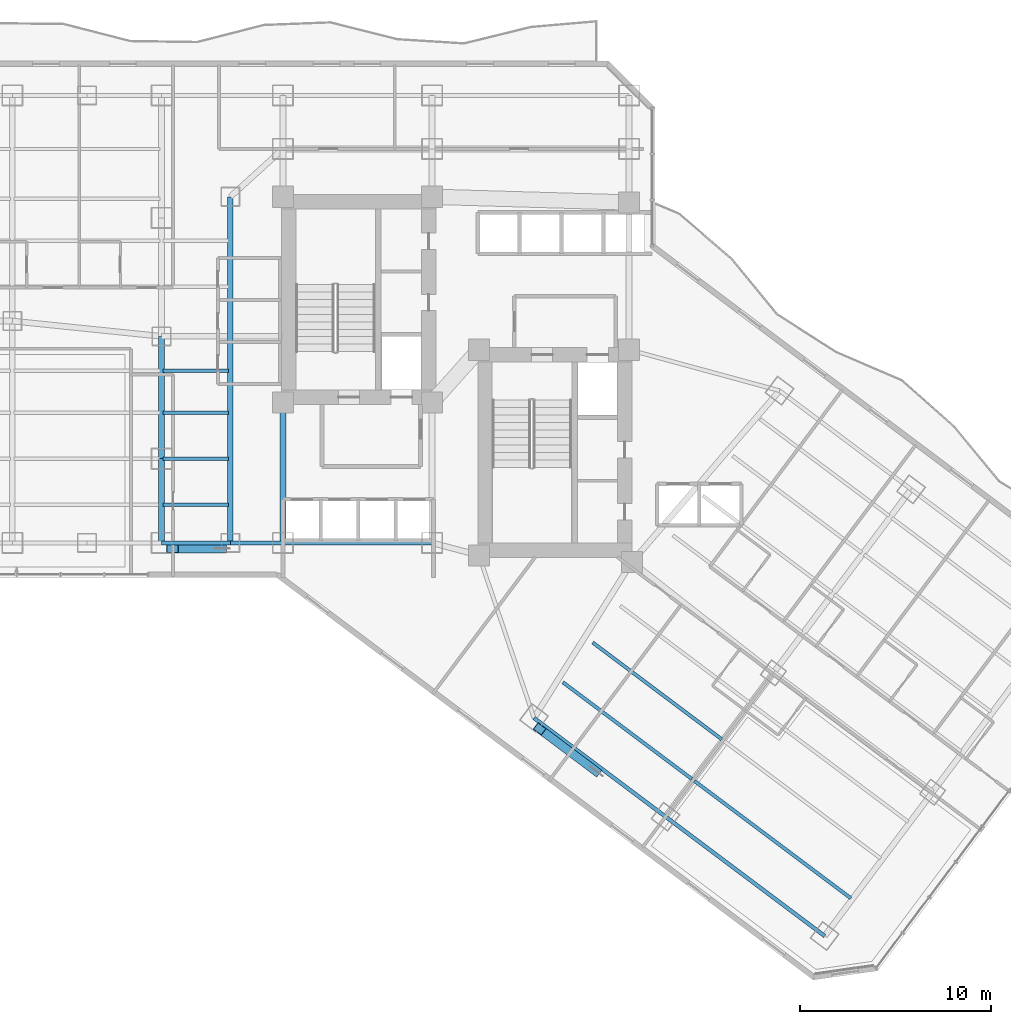
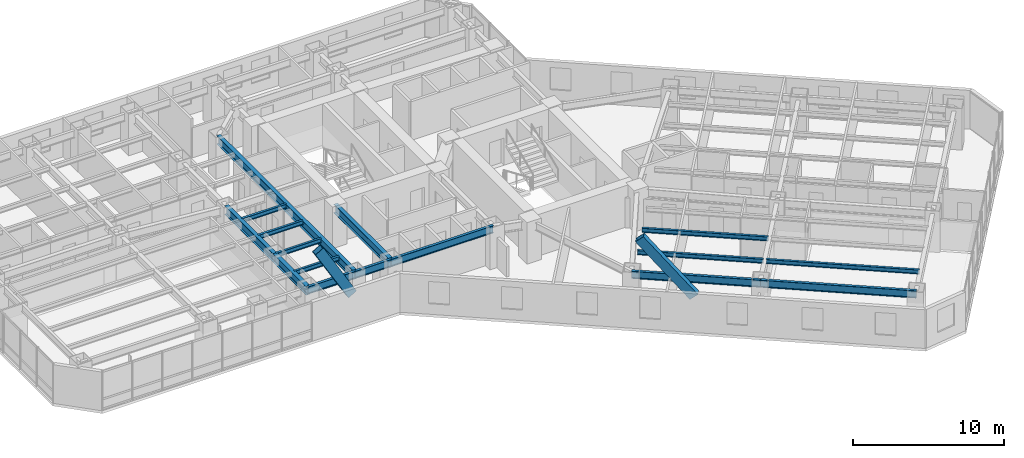
# One storey, part 7 of 33: 16 beams, 2 members.
"""IFC4 building model written with IfcOpenShell, lengths in metres."""

from ifc_helpers import new_model, si_unit, direction, frame, origin, origin_2d, place, context, subcontext, project, spatial, hollow_rectangle, i_section, extrude, material, material_profile, profile_set, type_object, element, save


model = new_model("IFC4")

# Units and contexts
model_context = context("Model", 3, precision=1e-05, world=origin(), true_north=direction((0.0, 1.0)))
body_context = subcontext(model_context, "Body", "Model", "MODEL_VIEW")
ifc_project = project(units=[si_unit("LENGTHUNIT", "METRE"), si_unit("AREAUNIT", "SQUARE_METRE"), si_unit("VOLUMEUNIT", "CUBIC_METRE"), si_unit("PLANEANGLEUNIT", "RADIAN"), si_unit("MASSUNIT", "GRAM", prefix="KILO")], contexts=[model_context])

# Site, building, storey
site_placement = place(None, origin())
site = spatial("IfcSite", under=ifc_project, at=site_placement, CompositionType="ELEMENT")
building_placement = place(site_placement, origin())
building = spatial("IfcBuilding", under=site, at=building_placement, Name="Hatsunagi Terrace Concourse", CompositionType="ELEMENT")
storey_placement = place(building_placement, frame((0.0, 0.0, 56.699951171875)))
storey = spatial("IfcBuildingStorey", under=building, at=storey_placement, Name="L14", CompositionType="ELEMENT", Elevation=56.699951171875)

# Beams
ifc_material_1 = material(Name="Steel SN490B", Category="steel")
ifc_material_profile_1 = material_profile(ifc_material_1, i_section(OverallWidth=0.300048828125, OverallDepth=0.699951171875, WebThickness=0.012939453125, FlangeThickness=0.02392578125, FilletRadius=0.02197265625, at=origin_2d()), Name="H-700x300x13x24")
ifc_profile_set_1 = profile_set([ifc_material_profile_1], Name="Steel SN490B")
beam_type_1 = type_object("IfcBeamType", Name="HotelFloorGirder_H_700x300", PredefinedType="BEAM", material=ifc_profile_set_1)
beam_1_placement = place(storey_placement, frame((25.550048828125, 25.199951171875, 2.780029296875), z_axis=(0.0, 1.0, 0.0), x_axis=(-1.0, 0.0, 0.0)))
element("IfcBeam", 1, at=beam_1_placement, inside=storey, type_object=beam_type_1, Name="Beam G-04 BM-L14-K1CA", PredefinedType="BEAM", context=body_context, shape_type="SweptSolid", body=[
    extrude(i_section(OverallWidth=0.300048828125, OverallDepth=0.699951171875, WebThickness=0.012939453125, FlangeThickness=0.02392578125, FilletRadius=0.02197265625, at=origin_2d()), origin(), (0.0, 0.0, 1.0), 7.35009765625),
])
beam_2_placement = place(storey_placement, frame((22.800048828125, 25.199951171875, 2.780029296875), z_axis=(0.0, 1.0, 0.0), x_axis=(-1.0, 0.0, 0.0)))
element("IfcBeam", 2, at=beam_2_placement, inside=storey, type_object=beam_type_1, Name="Beam G-04 BM-L14-CWNS", PredefinedType="BEAM", context=body_context, shape_type="SweptSolid", body=[
    extrude(i_section(OverallWidth=0.300048828125, OverallDepth=0.699951171875, WebThickness=0.012939453125, FlangeThickness=0.02392578125, FilletRadius=0.02197265625, at=origin_2d()), origin(), (0.0, 0.0, 1.0), 18.10009765625),
])
beam_3_placement = place(storey_placement, frame((19.199951171875, 25.199951171875, 2.780029296875), z_axis=(0.0, 1.0, 0.0), x_axis=(-1.0, 0.0, 0.0)))
element("IfcBeam", 3, at=beam_3_placement, inside=storey, type_object=beam_type_1, Name="Beam G-04 BM-L14-NS-19-25", PredefinedType="BEAM", context=body_context, shape_type="SweptSolid", body=[
    extrude(i_section(OverallWidth=0.300048828125, OverallDepth=0.699951171875, WebThickness=0.012939453125, FlangeThickness=0.02392578125, FilletRadius=0.02197265625, at=origin_2d()), origin(), (0.0, 0.0, 1.0), 4.400146484375),
])
beam_4_placement = place(storey_placement, frame((19.199951171875, 29.60009765625, 2.780029296875), z_axis=(0.0, 1.0, 0.0), x_axis=(-1.0, 0.0, 0.0)))
element("IfcBeam", 4, at=beam_4_placement, inside=storey, type_object=beam_type_1, Name="Beam G-04 BM-L14-NS-19-29", PredefinedType="BEAM", context=body_context, shape_type="SweptSolid", body=[
    extrude(i_section(OverallWidth=0.300048828125, OverallDepth=0.699951171875, WebThickness=0.012939453125, FlangeThickness=0.02392578125, FilletRadius=0.02197265625, at=origin_2d()), origin(), (0.0, 0.0, 1.0), 6.39990234375),
])
ifc_material_2 = material(Name="Steel SN490B", Category="steel")
ifc_material_profile_2 = material_profile(ifc_material_2, i_section(OverallWidth=0.175048828125, OverallDepth=0.35009765625, WebThickness=0.007080078125, FlangeThickness=0.010986328125, FilletRadius=0.012939453125, at=origin_2d()), Name="H-350x175x7x11")
ifc_profile_set_2 = profile_set([ifc_material_profile_2], Name="Steel SN490B")
beam_type_2 = type_object("IfcBeamType", Name="HotelJoist_H_350x175", PredefinedType="JOIST", material=ifc_profile_set_2)
for number, where, z_axis, x_axis, name in (
    (5, (19.284912109375, 27.199951171875, 2.955078125), (1.0, 0.0, 0.0), (0.0, 1.0, 0.0), "Beam J-02 J-L14-W-19-272"),
    (6, (19.284912109375, 29.60009765625, 2.955078125), (1.0, 0.0, 0.0), (0.0, 1.0, 0.0), "Beam J-02 J-L14-W-19-296"),
    (7, (19.284912109375, 32.0, 2.955078125), (1.0, 0.0, 0.0), (0.0, 1.0, 0.0), "Beam J-02 J-L14-W-19-320"),
    (8, (19.284912109375, 34.199951171875, 2.955078125), (1.0, 0.0, 0.0), (0.0, 1.0, 0.0), "Beam J-02 J-L14-W-19-342"),
):
    element("IfcBeam", number, at=place(storey_placement, frame(where, z_axis=z_axis, x_axis=x_axis)), inside=storey, type_object=beam_type_2, Name=name, PredefinedType="JOIST", context=body_context, shape_type="SweptSolid", body=[
        extrude(i_section(OverallWidth=0.175048828125, OverallDepth=0.35009765625, WebThickness=0.007080078125, FlangeThickness=0.010986328125, FilletRadius=0.012939453125, at=origin_2d()), origin(), (0.0, 0.0, 1.0), 3.43017578125),
    ])
for number, where, z_axis, x_axis, name in (
    (9, (40.18798828125, 17.908935546875, 2.955078125), (0.800003475366, -0.59999536615, 0.0), (0.59999536615, 0.800003475366, 0.0), "Beam J-02 J-L14-SE-2-46"),
    (10, (41.748046875, 19.989013671875, 2.955078125), (0.799989573921, -0.600013901187, 0.0), (0.600013901187, 0.799989573921, 0.0), "Beam J-02 J-L14-SE-2-72"),
):
    element("IfcBeam", number, at=place(storey_placement, frame(where, z_axis=z_axis, x_axis=x_axis)), inside=storey, type_object=beam_type_2, Name=name, PredefinedType="JOIST", context=body_context, shape_type="SweptSolid", body=[
        extrude(i_section(OverallWidth=0.175048828125, OverallDepth=0.35009765625, WebThickness=0.007080078125, FlangeThickness=0.010986328125, FilletRadius=0.012939453125, at=origin_2d()), origin(), (0.0, 0.0, 1.0), 8.429931640625),
    ])
beam_5_placement = place(storey_placement, frame((47.068115234375, 12.7490234375, 2.955078125), z_axis=(0.799997136125, -0.600003818481, 0.0), x_axis=(0.600003818481, 0.799997136125, 0.0)))
element("IfcBeam", 11, at=beam_5_placement, inside=storey, type_object=beam_type_2, Name="Beam J-02 J-L14-SE-3-46", PredefinedType="JOIST", context=body_context, shape_type="SweptSolid", body=[
    extrude(i_section(OverallWidth=0.175048828125, OverallDepth=0.35009765625, WebThickness=0.007080078125, FlangeThickness=0.010986328125, FilletRadius=0.012939453125, at=origin_2d()), origin(), (0.0, 0.0, 1.0), 10.229736328125),
])
ifc_material_3 = material(Name="Steel SN490B", Category="steel")
ifc_material_profile_3 = material_profile(ifc_material_3, i_section(OverallWidth=0.199951171875, OverallDepth=0.60009765625, WebThickness=0.010986328125, FlangeThickness=0.01708984375, FilletRadius=0.01806640625, at=origin_2d()), Name="H-600x200x11x17")
ifc_profile_set_3 = profile_set([ifc_material_profile_3], Name="Steel SN490B")
beam_type_3 = type_object("IfcBeamType", Name="PerimeterSpandrel_H_600x200", PredefinedType="SPANDREL", material=ifc_profile_set_3)
beam_6_placement = place(storey_placement, frame((19.199951171875, 25.199951171875, 2.830078125), z_axis=(1.0, 0.0, 0.0), x_axis=(0.0, 1.0, 0.0)))
element("IfcBeam", 12, at=beam_6_placement, inside=storey, type_object=beam_type_3, Name="Beam SP-01 BM-L14-WS-19", PredefinedType="SPANDREL", context=body_context, shape_type="SweptSolid", body=[
    extrude(i_section(OverallWidth=0.199951171875, OverallDepth=0.60009765625, WebThickness=0.010986328125, FlangeThickness=0.01708984375, FilletRadius=0.01806640625, at=origin_2d()), origin(), (0.0, 0.0, 1.0), 3.60009765625),
])
beam_7_placement = place(storey_placement, frame((22.800048828125, 25.199951171875, 2.830078125), z_axis=(1.0, 0.0, 0.0), x_axis=(0.0, 1.0, 0.0)))
element("IfcBeam", 13, at=beam_7_placement, inside=storey, type_object=beam_type_3, Name="Beam SP-01 BM-L14-WS-22", PredefinedType="SPANDREL", context=body_context, shape_type="SweptSolid", body=[
    extrude(i_section(OverallWidth=0.199951171875, OverallDepth=0.60009765625, WebThickness=0.010986328125, FlangeThickness=0.01708984375, FilletRadius=0.01806640625, at=origin_2d()), origin(), (0.0, 0.0, 1.0), 2.75),
])
beam_8_placement = place(storey_placement, frame((25.550048828125, 25.199951171875, 2.830078125), z_axis=(1.0, 0.0, 0.0), x_axis=(0.0, 1.0, 0.0)))
element("IfcBeam", 14, at=beam_8_placement, inside=storey, type_object=beam_type_3, Name="Beam SP-01 BM-L14-WS-25", PredefinedType="SPANDREL", context=body_context, shape_type="SweptSolid", body=[
    extrude(i_section(OverallWidth=0.199951171875, OverallDepth=0.60009765625, WebThickness=0.010986328125, FlangeThickness=0.01708984375, FilletRadius=0.01806640625, at=origin_2d()), origin(), (0.0, 0.0, 1.0), 7.800048828125),
])
beam_9_placement = place(storey_placement, frame((38.679931640625, 16.0400390625, 2.830078125), z_axis=(0.799996593451, -0.600004542038, 0.0), x_axis=(0.600004542038, 0.799996593451, 0.0)))
element("IfcBeam", 15, at=beam_9_placement, inside=storey, type_object=beam_type_3, Name="Beam SP-01 BM-L14-SE-SW2", PredefinedType="SPANDREL", context=body_context, shape_type="SweptSolid", body=[
    extrude(i_section(OverallWidth=0.199951171875, OverallDepth=0.60009765625, WebThickness=0.010986328125, FlangeThickness=0.01708984375, FilletRadius=0.01806640625, at=origin_2d()), origin(), (0.0, 0.0, 1.0), 8.60009765625),
])
beam_10_placement = place(storey_placement, frame((45.56005859375, 10.8798828125, 2.830078125), z_axis=(0.799994365871, -0.600007512099, 0.0), x_axis=(0.600007512099, 0.799994365871, 0.0)))
element("IfcBeam", 16, at=beam_10_placement, inside=storey, type_object=beam_type_3, Name="Beam SP-01 BM-L14-SE-SW3", PredefinedType="SPANDREL", context=body_context, shape_type="SweptSolid", body=[
    extrude(i_section(OverallWidth=0.199951171875, OverallDepth=0.60009765625, WebThickness=0.010986328125, FlangeThickness=0.01708984375, FilletRadius=0.01806640625, at=origin_2d()), origin(), (0.0, 0.0, 1.0), 10.39990234375),
])

# Members
ifc_material_4 = material(Name="Steel SN490B", Category="steel")
ifc_material_profile_4 = material_profile(ifc_material_4, hollow_rectangle(XDim=0.449951171875, YDim=0.699951171875, WallThickness=0.028076171875, at=origin_2d()), Name="RHS-700x450x28")
ifc_profile_set_4 = profile_set([ifc_material_profile_4], Name="Steel SN490B")
member_type = type_object("IfcMemberType", Name="PerimeterXBrace_Lower_RHS_700x450x28", PredefinedType="BRACE", material=ifc_profile_set_4)
member_1_placement = place(storey_placement, frame((19.77490234375, 24.89990234375, 6.0400390625), z_axis=(0.50241736454, 0.0, -0.864625231999), x_axis=(0.0, 1.0, 0.0)))
element("IfcMember", 17, at=member_1_placement, inside=storey, type_object=member_type, Name="Perimeter X-Brace Split Upper XB-01 XB-L13-W1B1", PredefinedType="BRACE", context=body_context, shape_type="SweptSolid", body=[
    extrude(hollow_rectangle(XDim=0.449951171875, YDim=0.699951171875, WallThickness=0.028076171875, at=origin_2d()), origin(), (0.0, 0.0, 1.0), 5.03564453125),
])
member_2_placement = place(storey_placement, frame((38.971923828125, 15.470947265625, 6.0400390625), z_axis=(0.511802980959, -0.383841493485, -0.768585334599), x_axis=(0.599989253469, 0.800008059786, 0.0)))
element("IfcMember", 18, at=member_2_placement, inside=storey, type_object=member_type, Name="Perimeter X-Brace Split Upper XB-01 XB-L13-SEB1", PredefinedType="BRACE", context=body_context, shape_type="SweptSolid", body=[
    extrude(hollow_rectangle(XDim=0.449951171875, YDim=0.699951171875, WallThickness=0.028076171875, at=origin_2d()), origin(), (0.0, 0.0, 1.0), 5.681884765625),
])

save(model, "model.ifc")
